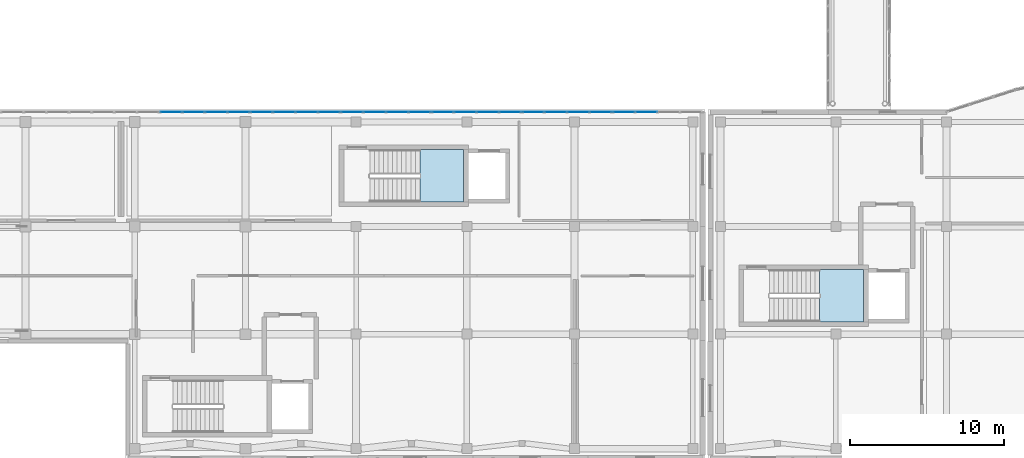
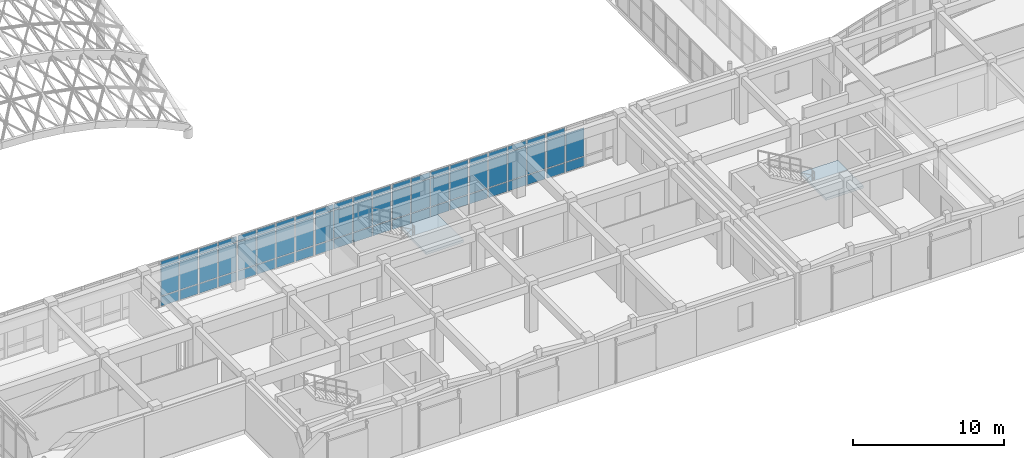
# One storey, part 112 of 146: 65 plates, 2 slabs, 8 elements without a shape of their own.
"""IFC4 building model written with IfcOpenShell, lengths in metres."""

import ifcopenshell
import ifcopenshell.guid

model = None  # the IFC model being written
_history = None  # IfcOwnerHistory: only IFC2X3 demands one
_inside = {}  # id of a spatial element -> (the spatial element, [elements in it])
_under = {}  # id of a project, library or spatial element -> (it, [spatial elements below it])
_declared = {}  # id of a project -> (the project, [libraries it declares])
_typed = {}  # id of a type object -> (the type object, [elements of that type])
_made_of = {}  # id of a material, layer set ... -> (it, [elements and type objects made of it])


def new_model(schema):
    """Start an empty IFC model of exactly this schema.

    Asked for "IFC4X3", IfcOpenShell would pick the latest addendum, in which some entities
    have other attributes; the version numbers below select the first issue.
    IFC2X3 requires an IfcOwnerHistory on every rooted entity: one is made here for all.
    """
    global model, _history
    if schema == "IFC4X3":
        model = ifcopenshell.file(schema_version=(4, 3, 0, 0))
    else:
        model = ifcopenshell.file(schema=schema)
    _inside.clear()
    _under.clear()
    _declared.clear()
    _typed.clear()
    _made_of.clear()
    _history = None
    if model.schema == "IFC2X3":
        org = make("IfcOrganization", Name="unknown")
        user = make(
            "IfcPersonAndOrganization",
            ThePerson=make("IfcPerson", FamilyName="unknown"),
            TheOrganization=org,
        )
        app = make(
            "IfcApplication",
            ApplicationDeveloper=org,
            Version="unknown",
            ApplicationFullName="unknown",
            ApplicationIdentifier="unknown",
        )
        _history = make(
            "IfcOwnerHistory",
            OwningUser=user,
            OwningApplication=app,
            ChangeAction="ADDED",
            CreationDate=0,
        )
    return model


def make(cls, **values):
    """One entity of the class cls with the attributes given. An attribute that is None is left unset."""
    return model.create_entity(
        cls, **{name: value for name, value in values.items() if value is not None}
    )


def rooted(cls, **values):
    """An entity with a GlobalId (a new one), such as an element, a storey or a relation."""
    return make(cls, GlobalId=ifcopenshell.guid.new(), OwnerHistory=_history, **values)


def si_unit(unit_type, name, prefix=None):
    """IfcSIUnit, for example si_unit("LENGTHUNIT", "METRE", prefix="MILLI")."""
    return make("IfcSIUnit", UnitType=unit_type, Prefix=prefix, Name=name)


def assignment(units):
    """IfcUnitAssignment: the units of a project."""
    return None if units is None else make("IfcUnitAssignment", Units=units)


def point(xyz):
    """IfcCartesianPoint."""
    return None if xyz is None else make("IfcCartesianPoint", Coordinates=xyz)


def direction(xyz):
    """IfcDirection."""
    return None if xyz is None else make("IfcDirection", DirectionRatios=xyz)


def frame(location, z_axis=None, x_axis=None):
    """IfcAxis2Placement3D, a coordinate frame: its origin and axes. An axis left out is left unset."""
    return make(
        "IfcAxis2Placement3D",
        Location=point(location),
        Axis=direction(z_axis),
        RefDirection=direction(x_axis),
    )


def frame_2d(location, x_axis=None):
    """IfcAxis2Placement2D, a coordinate frame in the plane: its origin and x axis."""
    return make(
        "IfcAxis2Placement2D", Location=point(location), RefDirection=direction(x_axis)
    )


def origin():
    """The frame at (0, 0, 0) with its axes left unset."""
    return frame((0.0, 0.0, 0.0))


def origin_2d():
    """The frame at (0, 0) in the plane with its x axis left unset."""
    return frame_2d((0.0, 0.0))


def place(relative_to, where):
    """IfcLocalPlacement: puts the frame where relative to a parent placement (None: the world)."""
    return make(
        "IfcLocalPlacement", PlacementRelTo=relative_to, RelativePlacement=where
    )


def context(
    kind, dimensions, precision=None, world=None, true_north=None, identifier=None
):
    """IfcGeometricRepresentationContext, for example the 3D "Model" context."""
    return make(
        "IfcGeometricRepresentationContext",
        ContextIdentifier=identifier,
        ContextType=kind,
        CoordinateSpaceDimension=dimensions,
        Precision=precision,
        WorldCoordinateSystem=world,
        TrueNorth=true_north,
    )


def subcontext(parent, identifier, kind, view, scale=None):
    """IfcGeometricRepresentationSubContext, for example "Body" below "Model"."""
    return make(
        "IfcGeometricRepresentationSubContext",
        ContextIdentifier=identifier,
        ContextType=kind,
        ParentContext=parent,
        TargetScale=scale,
        TargetView=view,
    )


def project(units=None, contexts=None):
    """IfcProject with its units and contexts."""
    return rooted(
        "IfcProject",
        Name="project",
        RepresentationContexts=contexts,
        UnitsInContext=assignment(units),
    )


def spatial(cls, under=None, at=None, **own):
    """A site, building, storey or space (cls), placed at a placement, below another one or the project."""
    s = rooted(cls, ObjectPlacement=at, **own)
    if under is not None:
        _under.setdefault(under.id(), (under, []))[1].append(s)
    return s


def polyline(points):
    """IfcPolyline through the points."""
    return make("IfcPolyline", Points=[point(p) for p in points])


def profile(cls, at=None, kind="AREA", **sizes):
    """A parametric profile (cls). Its sizes go by their IFC names, for example OverallWidth=200.0."""
    return make(cls, ProfileType=kind, Position=at, **sizes)


def rectangle(**sizes):
    """IfcRectangleProfileDef."""
    return profile("IfcRectangleProfileDef", **sizes)


def outline(outer, holes=None, kind="AREA"):
    """IfcArbitraryClosedProfileDef: a profile drawn as a closed curve; with holes, ...WithVoids."""
    if holes is None:
        return make("IfcArbitraryClosedProfileDef", ProfileType=kind, OuterCurve=outer)
    return make(
        "IfcArbitraryProfileDefWithVoids",
        ProfileType=kind,
        OuterCurve=outer,
        InnerCurves=holes,
    )


def extrude(swept, where, along, depth):
    """IfcExtrudedAreaSolid: the profile swept, set in the frame where, extruded along a direction by depth."""
    return make(
        "IfcExtrudedAreaSolid",
        SweptArea=swept,
        Position=where,
        ExtrudedDirection=direction(along),
        Depth=depth,
    )


def shape(context_of_items, identifier, shape_type, items):
    """IfcShapeRepresentation: the items that make up one representation, for example the "Body"."""
    return make(
        "IfcShapeRepresentation",
        ContextOfItems=context_of_items,
        RepresentationIdentifier=identifier,
        RepresentationType=shape_type,
        Items=items,
    )


def material(Name=None, Category=None):
    """IfcMaterial."""
    return make("IfcMaterial", Name=Name, Category=Category)


def layer(
    of_material, thickness, ventilated=None, Name=None, Category=None, Priority=None
):
    """IfcMaterialLayer: one layer of a wall or slab, of a material (None: an air gap)."""
    return make(
        "IfcMaterialLayer",
        Material=of_material,
        LayerThickness=thickness,
        IsVentilated=ventilated,
        Name=Name,
        Category=Category,
        Priority=Priority,
    )


def layer_set(layers, Name=None):
    """IfcMaterialLayerSet."""
    return make("IfcMaterialLayerSet", MaterialLayers=layers, LayerSetName=Name)


def made_of(thing, what):
    """Note that an element or type object is made of a material, layer set ...; save() writes the relation."""
    if what is not None:
        _made_of.setdefault(what.id(), (what, []))[1].append(thing)
    return thing


def type_object(cls, material=None, **own):
    """A type object (cls), such as IfcWallType, which elements share."""
    return made_of(rooted(cls, **own), material)


def element(
    cls,
    number,
    at=None,
    inside=None,
    cuts=None,
    type_object=None,
    material=None,
    context=None,
    identifier="Body",
    shape_type=None,
    held_by="IfcProductDefinitionShape",
    body=None,
    shapes=None,
    **own,
):
    """One element of the class cls, such as IfcWall. Its Tag is "e" and its number.

    at: its placement. inside: the storey or other place that contains it. cuts: it is an
    opening in that element (IfcRelVoidsElement). A single representation is given by context,
    identifier, shape_type and body (its items); several are given by shapes. held_by: the class
    of the entity that holds the representations. save() writes the other relations.
    """
    e = rooted(cls, Tag="e%d" % number, ObjectPlacement=at, **own)
    if body is not None:
        shapes = [shape(context, identifier, shape_type, body)]
    if shapes is not None:
        e.Representation = make(held_by, Representations=shapes)
    if inside is not None:
        _inside.setdefault(inside.id(), (inside, []))[1].append(e)
    if cuts is not None:
        rooted(
            "IfcRelVoidsElement", RelatingBuildingElement=cuts, RelatedOpeningElement=e
        )
    if type_object is not None:
        _typed.setdefault(type_object.id(), (type_object, []))[1].append(e)
    return made_of(e, material)


def aggregate(whole, parts):
    """IfcRelAggregates: a whole, such as a stair, and the parts it consists of."""
    return rooted("IfcRelAggregates", RelatingObject=whole, RelatedObjects=parts)


def save(model, path):
    """Write the relations noted so far, then the file.

    IfcRelAggregates (storeys below a building ...), IfcRelContainedInSpatialStructure (elements
    in a storey), IfcRelDefinesByType, IfcRelAssociatesMaterial and IfcRelDeclares: one each for
    every whole, place, type object, material and project.
    """
    for whole, parts in _under.values():
        aggregate(whole, parts)
    for where, things in _inside.values():
        rooted(
            "IfcRelContainedInSpatialStructure",
            RelatedElements=things,
            RelatingStructure=where,
        )
    for kind, things in _typed.values():
        rooted("IfcRelDefinesByType", RelatedObjects=things, RelatingType=kind)
    for what, things in _made_of.values():
        rooted("IfcRelAssociatesMaterial", RelatedObjects=things, RelatingMaterial=what)
    for by, libraries in _declared.values():
        rooted("IfcRelDeclares", RelatingContext=by, RelatedDefinitions=libraries)
    model.write(path)


model = new_model("IFC4")

# Units and contexts
model_context = context("Model", 3, precision=1e-05, world=origin(), true_north=direction((0.0, 1.0)))
body_context = subcontext(model_context, "Body", "Model", "MODEL_VIEW")
ifc_project = project(units=[si_unit("LENGTHUNIT", "METRE"), si_unit("AREAUNIT", "SQUARE_METRE"), si_unit("VOLUMEUNIT", "CUBIC_METRE"), si_unit("PLANEANGLEUNIT", "RADIAN"), si_unit("MASSUNIT", "GRAM", prefix="KILO")], contexts=[model_context])

# Site, building, storey
site_placement = place(None, origin())
site = spatial("IfcSite", under=ifc_project, at=site_placement, CompositionType="ELEMENT")
building_placement = place(site_placement, origin())
building = spatial("IfcBuilding", under=site, at=building_placement, Name="Valcora Specialist Clinic", CompositionType="ELEMENT")
storey_placement = place(building_placement, frame((0.0, 0.0, 9.52001953125)))
storey = spatial("IfcBuildingStorey", under=building, at=storey_placement, Name="L02", CompositionType="ELEMENT", Elevation=9.52001953125)

# Curtain wall, plates
ifc_material_1 = material(Name="Anodized Bronze Aluminium 6063-T6", Category="aluminium")
ifc_layer_1 = layer(ifc_material_1, 0.175048828125)
ifc_layer_set_1 = layer_set([ifc_layer_1], Name="Anodized Bronze Aluminium 6063-T6")
curtain_wall_type = type_object("IfcCurtainWallType", Name="TY-CW-V5F15", PredefinedType="NOTDEFINED", material=ifc_layer_set_1)
curtain_wall_1_placement = place(storey_placement, origin())
curtain_wall_1 = element("IfcCurtainWall", 1, at=curtain_wall_1_placement, inside=storey, type_object=curtain_wall_type, Name="Curtain wall CW-L02-146", PredefinedType="NOTDEFINED")
ifc_material_2 = material(Name="Low-E Laminated Insulating Glass", Category="glass")
ifc_layer_2 = layer(ifc_material_2, 0.028076171875)
ifc_layer_set_2 = layer_set([ifc_layer_2], Name="Low-E Laminated Insulating Glass")
plate_type_1 = type_object("IfcPlateType", Name="TY-CWP-GLZ28", PredefinedType="CURTAIN_PANEL", material=ifc_layer_set_2)
plate_1_placement = place(storey_placement, frame((18.569091796875, 22.64990234375, 0.882568359375), z_axis=(0.0, 0.0, 1.0), x_axis=(1.0, 0.0, 0.0)))
plate_1 = element("IfcPlate", 2, at=plate_1_placement, type_object=plate_type_1, Name="CW-V5F-15 panel 1.2", PredefinedType="CURTAIN_PANEL", context=body_context, shape_type="SweptSolid", body=[
    extrude(rectangle(XDim=1.374755859375, YDim=0.028076171875, at=origin_2d()), origin(), (0.0, 0.0, 1.0), 2.27001953125),
])
plate_2_placement = place(storey_placement, frame((18.569091796875, 22.64990234375, 3.2177734375), z_axis=(0.0, 0.0, 1.0), x_axis=(1.0, 0.0, 0.0)))
plate_2 = element("IfcPlate", 3, at=plate_2_placement, type_object=plate_type_1, Name="CW-V5F-15 panel 1.3", PredefinedType="CURTAIN_PANEL", context=body_context, shape_type="SweptSolid", body=[
    extrude(rectangle(XDim=1.374755859375, YDim=0.028076171875, at=origin_2d()), origin(), (0.0, 0.0, 1.0), 0.452392578125),
])
plate_3_placement = place(storey_placement, frame((20.025146484375, 22.64990234375, 0.882568359375), z_axis=(0.0, 0.0, 1.0), x_axis=(1.0, 0.0, 0.0)))
plate_3 = element("IfcPlate", 4, at=plate_3_placement, type_object=plate_type_1, Name="CW-V5F-15 panel 2.2", PredefinedType="CURTAIN_PANEL", context=body_context, shape_type="SweptSolid", body=[
    extrude(rectangle(XDim=1.4072265625, YDim=0.028076171875, at=origin_2d()), origin(), (0.0, 0.0, 1.0), 2.27001953125),
])
plate_4_placement = place(storey_placement, frame((20.025146484375, 22.64990234375, 3.2177734375), z_axis=(0.0, 0.0, 1.0), x_axis=(1.0, 0.0, 0.0)))
plate_4 = element("IfcPlate", 5, at=plate_4_placement, type_object=plate_type_1, Name="CW-V5F-15 panel 2.3", PredefinedType="CURTAIN_PANEL", context=body_context, shape_type="SweptSolid", body=[
    extrude(rectangle(XDim=1.4072265625, YDim=0.028076171875, at=origin_2d()), origin(), (0.0, 0.0, 1.0), 0.452392578125),
])
plate_5_placement = place(storey_placement, frame((21.497314453125, 22.64990234375, 0.882568359375), z_axis=(0.0, 0.0, 1.0), x_axis=(1.0, 0.0, 0.0)))
plate_5 = element("IfcPlate", 6, at=plate_5_placement, type_object=plate_type_1, Name="CW-V5F-15 panel 3.2", PredefinedType="CURTAIN_PANEL", context=body_context, shape_type="SweptSolid", body=[
    extrude(rectangle(XDim=1.4072265625, YDim=0.028076171875, at=origin_2d()), origin(), (0.0, 0.0, 1.0), 2.27001953125),
])
plate_6_placement = place(storey_placement, frame((21.497314453125, 22.64990234375, 3.2177734375), z_axis=(0.0, 0.0, 1.0), x_axis=(1.0, 0.0, 0.0)))
plate_6 = element("IfcPlate", 7, at=plate_6_placement, type_object=plate_type_1, Name="CW-V5F-15 panel 3.3", PredefinedType="CURTAIN_PANEL", context=body_context, shape_type="SweptSolid", body=[
    extrude(rectangle(XDim=1.4072265625, YDim=0.028076171875, at=origin_2d()), origin(), (0.0, 0.0, 1.0), 0.452392578125),
])
plate_7_placement = place(storey_placement, frame((22.953125, 22.64990234375, 0.882568359375), z_axis=(0.0, 0.0, 1.0), x_axis=(1.0, 0.0, 0.0)))
plate_7 = element("IfcPlate", 8, at=plate_7_placement, type_object=plate_type_1, Name="CW-V5F-15 panel 4.2", PredefinedType="CURTAIN_PANEL", context=body_context, shape_type="SweptSolid", body=[
    extrude(rectangle(XDim=1.374755859375, YDim=0.028076171875, at=origin_2d()), origin(), (0.0, 0.0, 1.0), 2.27001953125),
])
plate_8_placement = place(storey_placement, frame((22.953125, 22.64990234375, 3.2177734375), z_axis=(0.0, 0.0, 1.0), x_axis=(1.0, 0.0, 0.0)))
plate_8 = element("IfcPlate", 9, at=plate_8_placement, type_object=plate_type_1, Name="CW-V5F-15 panel 4.3", PredefinedType="CURTAIN_PANEL", context=body_context, shape_type="SweptSolid", body=[
    extrude(rectangle(XDim=1.374755859375, YDim=0.028076171875, at=origin_2d()), origin(), (0.0, 0.0, 1.0), 0.452392578125),
])

curtain_wall_2_placement = place(storey_placement, origin())
curtain_wall_2 = element("IfcCurtainWall", 10, at=curtain_wall_2_placement, inside=storey, type_object=curtain_wall_type, Name="Curtain wall CW-L02-148", PredefinedType="NOTDEFINED")
plate_9_placement = place(storey_placement, frame((30.3466796875, 22.64990234375, 0.882568359375), z_axis=(0.0, 0.0, 1.0), x_axis=(1.0, 0.0, 0.0)))
plate_9 = element("IfcPlate", 11, at=plate_9_placement, type_object=plate_type_1, Name="CW-V5F-15 panel 1.2", PredefinedType="CURTAIN_PANEL", context=body_context, shape_type="SweptSolid", body=[
    extrude(rectangle(XDim=1.374755859375, YDim=0.028076171875, at=origin_2d()), origin(), (0.0, 0.0, 1.0), 2.27001953125),
])
plate_10_placement = place(storey_placement, frame((30.3466796875, 22.64990234375, 3.2177734375), z_axis=(0.0, 0.0, 1.0), x_axis=(1.0, 0.0, 0.0)))
plate_10 = element("IfcPlate", 12, at=plate_10_placement, type_object=plate_type_1, Name="CW-V5F-15 panel 1.3", PredefinedType="CURTAIN_PANEL", context=body_context, shape_type="SweptSolid", body=[
    extrude(rectangle(XDim=1.374755859375, YDim=0.028076171875, at=origin_2d()), origin(), (0.0, 0.0, 1.0), 0.452392578125),
])
plate_11_placement = place(storey_placement, frame((31.802734375, 22.64990234375, 0.882568359375), z_axis=(0.0, 0.0, 1.0), x_axis=(1.0, 0.0, 0.0)))
plate_11 = element("IfcPlate", 13, at=plate_11_placement, type_object=plate_type_1, Name="CW-V5F-15 panel 2.2", PredefinedType="CURTAIN_PANEL", context=body_context, shape_type="SweptSolid", body=[
    extrude(rectangle(XDim=1.4072265625, YDim=0.028076171875, at=origin_2d()), origin(), (0.0, 0.0, 1.0), 2.27001953125),
])
plate_12_placement = place(storey_placement, frame((31.802734375, 22.64990234375, 3.2177734375), z_axis=(0.0, 0.0, 1.0), x_axis=(1.0, 0.0, 0.0)))
plate_12 = element("IfcPlate", 14, at=plate_12_placement, type_object=plate_type_1, Name="CW-V5F-15 panel 2.3", PredefinedType="CURTAIN_PANEL", context=body_context, shape_type="SweptSolid", body=[
    extrude(rectangle(XDim=1.4072265625, YDim=0.028076171875, at=origin_2d()), origin(), (0.0, 0.0, 1.0), 0.452392578125),
])
plate_13_placement = place(storey_placement, frame((33.27490234375, 22.64990234375, 0.882568359375), z_axis=(0.0, 0.0, 1.0), x_axis=(1.0, 0.0, 0.0)))
plate_13 = element("IfcPlate", 15, at=plate_13_placement, type_object=plate_type_1, Name="CW-V5F-15 panel 3.2", PredefinedType="CURTAIN_PANEL", context=body_context, shape_type="SweptSolid", body=[
    extrude(rectangle(XDim=1.4072265625, YDim=0.028076171875, at=origin_2d()), origin(), (0.0, 0.0, 1.0), 2.27001953125),
])
plate_14_placement = place(storey_placement, frame((33.27490234375, 22.64990234375, 3.2177734375), z_axis=(0.0, 0.0, 1.0), x_axis=(1.0, 0.0, 0.0)))
plate_14 = element("IfcPlate", 16, at=plate_14_placement, type_object=plate_type_1, Name="CW-V5F-15 panel 3.3", PredefinedType="CURTAIN_PANEL", context=body_context, shape_type="SweptSolid", body=[
    extrude(rectangle(XDim=1.4072265625, YDim=0.028076171875, at=origin_2d()), origin(), (0.0, 0.0, 1.0), 0.452392578125),
])
plate_15_placement = place(storey_placement, frame((34.73095703125, 22.64990234375, 0.882568359375), z_axis=(0.0, 0.0, 1.0), x_axis=(1.0, 0.0, 0.0)))
plate_15 = element("IfcPlate", 17, at=plate_15_placement, type_object=plate_type_1, Name="CW-V5F-15 panel 4.2", PredefinedType="CURTAIN_PANEL", context=body_context, shape_type="SweptSolid", body=[
    extrude(rectangle(XDim=1.374755859375, YDim=0.028076171875, at=origin_2d()), origin(), (0.0, 0.0, 1.0), 2.27001953125),
])
plate_16_placement = place(storey_placement, frame((34.73095703125, 22.64990234375, 3.2177734375), z_axis=(0.0, 0.0, 1.0), x_axis=(1.0, 0.0, 0.0)))
plate_16 = element("IfcPlate", 18, at=plate_16_placement, type_object=plate_type_1, Name="CW-V5F-15 panel 4.3", PredefinedType="CURTAIN_PANEL", context=body_context, shape_type="SweptSolid", body=[
    extrude(rectangle(XDim=1.374755859375, YDim=0.028076171875, at=origin_2d()), origin(), (0.0, 0.0, 1.0), 0.452392578125),
])

curtain_wall_3_placement = place(storey_placement, origin())
curtain_wall_3 = element("IfcCurtainWall", 19, at=curtain_wall_3_placement, inside=storey, type_object=curtain_wall_type, Name="Curtain wall CW-L02-150", PredefinedType="NOTDEFINED")
plate_17_placement = place(storey_placement, frame((42.12451171875, 22.64990234375, 0.882568359375), z_axis=(0.0, 0.0, 1.0), x_axis=(1.0, 0.0, 0.0)))
plate_17 = element("IfcPlate", 20, at=plate_17_placement, type_object=plate_type_1, Name="CW-V5F-15 panel 1.2", PredefinedType="CURTAIN_PANEL", context=body_context, shape_type="SweptSolid", body=[
    extrude(rectangle(XDim=1.374755859375, YDim=0.028076171875, at=origin_2d()), origin(), (0.0, 0.0, 1.0), 2.27001953125),
])
plate_18_placement = place(storey_placement, frame((42.12451171875, 22.64990234375, 3.2177734375), z_axis=(0.0, 0.0, 1.0), x_axis=(1.0, 0.0, 0.0)))
plate_18 = element("IfcPlate", 21, at=plate_18_placement, type_object=plate_type_1, Name="CW-V5F-15 panel 1.3", PredefinedType="CURTAIN_PANEL", context=body_context, shape_type="SweptSolid", body=[
    extrude(rectangle(XDim=1.374755859375, YDim=0.028076171875, at=origin_2d()), origin(), (0.0, 0.0, 1.0), 0.452392578125),
])
plate_19_placement = place(storey_placement, frame((43.58056640625, 22.64990234375, 0.882568359375), z_axis=(0.0, 0.0, 1.0), x_axis=(1.0, 0.0, 0.0)))
plate_19 = element("IfcPlate", 22, at=plate_19_placement, type_object=plate_type_1, Name="CW-V5F-15 panel 2.2", PredefinedType="CURTAIN_PANEL", context=body_context, shape_type="SweptSolid", body=[
    extrude(rectangle(XDim=1.4072265625, YDim=0.028076171875, at=origin_2d()), origin(), (0.0, 0.0, 1.0), 2.27001953125),
])
plate_20_placement = place(storey_placement, frame((43.58056640625, 22.64990234375, 3.2177734375), z_axis=(0.0, 0.0, 1.0), x_axis=(1.0, 0.0, 0.0)))
plate_20 = element("IfcPlate", 23, at=plate_20_placement, type_object=plate_type_1, Name="CW-V5F-15 panel 2.3", PredefinedType="CURTAIN_PANEL", context=body_context, shape_type="SweptSolid", body=[
    extrude(rectangle(XDim=1.4072265625, YDim=0.028076171875, at=origin_2d()), origin(), (0.0, 0.0, 1.0), 0.452392578125),
])
plate_21_placement = place(storey_placement, frame((45.052734375, 22.64990234375, 0.882568359375), z_axis=(0.0, 0.0, 1.0), x_axis=(1.0, 0.0, 0.0)))
plate_21 = element("IfcPlate", 24, at=plate_21_placement, type_object=plate_type_1, Name="CW-V5F-15 panel 3.2", PredefinedType="CURTAIN_PANEL", context=body_context, shape_type="SweptSolid", body=[
    extrude(rectangle(XDim=1.4072265625, YDim=0.028076171875, at=origin_2d()), origin(), (0.0, 0.0, 1.0), 2.27001953125),
])
plate_22_placement = place(storey_placement, frame((45.052734375, 22.64990234375, 3.2177734375), z_axis=(0.0, 0.0, 1.0), x_axis=(1.0, 0.0, 0.0)))
plate_22 = element("IfcPlate", 25, at=plate_22_placement, type_object=plate_type_1, Name="CW-V5F-15 panel 3.3", PredefinedType="CURTAIN_PANEL", context=body_context, shape_type="SweptSolid", body=[
    extrude(rectangle(XDim=1.4072265625, YDim=0.028076171875, at=origin_2d()), origin(), (0.0, 0.0, 1.0), 0.452392578125),
])
plate_23_placement = place(storey_placement, frame((46.5087890625, 22.64990234375, 0.882568359375), z_axis=(0.0, 0.0, 1.0), x_axis=(1.0, 0.0, 0.0)))
plate_23 = element("IfcPlate", 26, at=plate_23_placement, type_object=plate_type_1, Name="CW-V5F-15 panel 4.2", PredefinedType="CURTAIN_PANEL", context=body_context, shape_type="SweptSolid", body=[
    extrude(rectangle(XDim=1.374755859375, YDim=0.028076171875, at=origin_2d()), origin(), (0.0, 0.0, 1.0), 2.27001953125),
])
plate_24_placement = place(storey_placement, frame((46.5087890625, 22.64990234375, 3.2177734375), z_axis=(0.0, 0.0, 1.0), x_axis=(1.0, 0.0, 0.0)))
plate_24 = element("IfcPlate", 27, at=plate_24_placement, type_object=plate_type_1, Name="CW-V5F-15 panel 4.3", PredefinedType="CURTAIN_PANEL", context=body_context, shape_type="SweptSolid", body=[
    extrude(rectangle(XDim=1.374755859375, YDim=0.028076171875, at=origin_2d()), origin(), (0.0, 0.0, 1.0), 0.452392578125),
])

curtain_wall_4_placement = place(storey_placement, origin())
curtain_wall_4 = element("IfcCurtainWall", 28, at=curtain_wall_4_placement, inside=storey, type_object=curtain_wall_type, Name="Curtain wall CW-L02-147", PredefinedType="NOTDEFINED")
ifc_layer_3 = layer(ifc_material_2, 0.033935546875)
ifc_layer_set_3 = layer_set([ifc_layer_3], Name="Low-E Laminated Insulating Glass")
plate_type_2 = type_object("IfcPlateType", Name="TY-CWP-GLZ34", PredefinedType="CURTAIN_PANEL", material=ifc_layer_set_3)
plate_25_placement = place(storey_placement, frame((24.4580078125, 22.64990234375, 0.882568359375), z_axis=(0.0, 0.0, 1.0), x_axis=(1.0, 0.0, 0.0)))
plate_25 = element("IfcPlate", 29, at=plate_25_placement, type_object=plate_type_2, Name="CW-V5F-15 panel 1.2", PredefinedType="CURTAIN_PANEL", context=body_context, shape_type="SweptSolid", body=[
    extrude(rectangle(XDim=1.374755859375, YDim=0.033935546875, at=origin_2d()), origin(), (0.0, 0.0, 1.0), 2.27001953125),
])
plate_26_placement = place(storey_placement, frame((24.4580078125, 22.64990234375, 3.2177734375), z_axis=(0.0, 0.0, 1.0), x_axis=(1.0, 0.0, 0.0)))
plate_26 = element("IfcPlate", 30, at=plate_26_placement, type_object=plate_type_2, Name="CW-V5F-15 panel 1.3", PredefinedType="CURTAIN_PANEL", context=body_context, shape_type="SweptSolid", body=[
    extrude(rectangle(XDim=1.374755859375, YDim=0.033935546875, at=origin_2d()), origin(), (0.0, 0.0, 1.0), 0.452392578125),
])
plate_27_placement = place(storey_placement, frame((25.913818359375, 22.64990234375, 0.882568359375), z_axis=(0.0, 0.0, 1.0), x_axis=(1.0, 0.0, 0.0)))
plate_27 = element("IfcPlate", 31, at=plate_27_placement, type_object=plate_type_2, Name="CW-V5F-15 panel 2.2", PredefinedType="CURTAIN_PANEL", context=body_context, shape_type="SweptSolid", body=[
    extrude(rectangle(XDim=1.4072265625, YDim=0.033935546875, at=origin_2d()), origin(), (0.0, 0.0, 1.0), 2.27001953125),
])
plate_28_placement = place(storey_placement, frame((25.913818359375, 22.64990234375, 3.2177734375), z_axis=(0.0, 0.0, 1.0), x_axis=(1.0, 0.0, 0.0)))
plate_28 = element("IfcPlate", 32, at=plate_28_placement, type_object=plate_type_2, Name="CW-V5F-15 panel 2.3", PredefinedType="CURTAIN_PANEL", context=body_context, shape_type="SweptSolid", body=[
    extrude(rectangle(XDim=1.4072265625, YDim=0.033935546875, at=origin_2d()), origin(), (0.0, 0.0, 1.0), 0.452392578125),
])
plate_29_placement = place(storey_placement, frame((27.385986328125, 22.64990234375, 0.882568359375), z_axis=(0.0, 0.0, 1.0), x_axis=(1.0, 0.0, 0.0)))
plate_29 = element("IfcPlate", 33, at=plate_29_placement, type_object=plate_type_2, Name="CW-V5F-15 panel 3.2", PredefinedType="CURTAIN_PANEL", context=body_context, shape_type="SweptSolid", body=[
    extrude(rectangle(XDim=1.4072265625, YDim=0.033935546875, at=origin_2d()), origin(), (0.0, 0.0, 1.0), 2.27001953125),
])
plate_30_placement = place(storey_placement, frame((27.385986328125, 22.64990234375, 3.2177734375), z_axis=(0.0, 0.0, 1.0), x_axis=(1.0, 0.0, 0.0)))
plate_30 = element("IfcPlate", 34, at=plate_30_placement, type_object=plate_type_2, Name="CW-V5F-15 panel 3.3", PredefinedType="CURTAIN_PANEL", context=body_context, shape_type="SweptSolid", body=[
    extrude(rectangle(XDim=1.4072265625, YDim=0.033935546875, at=origin_2d()), origin(), (0.0, 0.0, 1.0), 0.452392578125),
])
plate_31_placement = place(storey_placement, frame((28.842041015625, 22.64990234375, 0.882568359375), z_axis=(0.0, 0.0, 1.0), x_axis=(1.0, 0.0, 0.0)))
plate_31 = element("IfcPlate", 35, at=plate_31_placement, type_object=plate_type_2, Name="CW-V5F-15 panel 4.2", PredefinedType="CURTAIN_PANEL", context=body_context, shape_type="SweptSolid", body=[
    extrude(rectangle(XDim=1.374755859375, YDim=0.033935546875, at=origin_2d()), origin(), (0.0, 0.0, 1.0), 2.27001953125),
])
plate_32_placement = place(storey_placement, frame((28.842041015625, 22.64990234375, 3.2177734375), z_axis=(0.0, 0.0, 1.0), x_axis=(1.0, 0.0, 0.0)))
plate_32 = element("IfcPlate", 36, at=plate_32_placement, type_object=plate_type_2, Name="CW-V5F-15 panel 4.3", PredefinedType="CURTAIN_PANEL", context=body_context, shape_type="SweptSolid", body=[
    extrude(rectangle(XDim=1.374755859375, YDim=0.033935546875, at=origin_2d()), origin(), (0.0, 0.0, 1.0), 0.452392578125),
])

curtain_wall_5_placement = place(storey_placement, origin())
curtain_wall_5 = element("IfcCurtainWall", 37, at=curtain_wall_5_placement, inside=storey, type_object=curtain_wall_type, Name="Curtain wall CW-L02-149", PredefinedType="NOTDEFINED")
plate_33_placement = place(storey_placement, frame((36.235595703125, 22.64990234375, 0.882568359375), z_axis=(0.0, 0.0, 1.0), x_axis=(1.0, 0.0, 0.0)))
plate_33 = element("IfcPlate", 38, at=plate_33_placement, type_object=plate_type_2, Name="CW-V5F-15 panel 1.2", PredefinedType="CURTAIN_PANEL", context=body_context, shape_type="SweptSolid", body=[
    extrude(rectangle(XDim=1.374755859375, YDim=0.033935546875, at=origin_2d()), origin(), (0.0, 0.0, 1.0), 2.27001953125),
])
plate_34_placement = place(storey_placement, frame((36.235595703125, 22.64990234375, 3.2177734375), z_axis=(0.0, 0.0, 1.0), x_axis=(1.0, 0.0, 0.0)))
plate_34 = element("IfcPlate", 39, at=plate_34_placement, type_object=plate_type_2, Name="CW-V5F-15 panel 1.3", PredefinedType="CURTAIN_PANEL", context=body_context, shape_type="SweptSolid", body=[
    extrude(rectangle(XDim=1.374755859375, YDim=0.033935546875, at=origin_2d()), origin(), (0.0, 0.0, 1.0), 0.452392578125),
])
plate_35_placement = place(storey_placement, frame((37.691650390625, 22.64990234375, 0.882568359375), z_axis=(0.0, 0.0, 1.0), x_axis=(1.0, 0.0, 0.0)))
plate_35 = element("IfcPlate", 40, at=plate_35_placement, type_object=plate_type_2, Name="CW-V5F-15 panel 2.2", PredefinedType="CURTAIN_PANEL", context=body_context, shape_type="SweptSolid", body=[
    extrude(rectangle(XDim=1.4072265625, YDim=0.033935546875, at=origin_2d()), origin(), (0.0, 0.0, 1.0), 2.27001953125),
])
plate_36_placement = place(storey_placement, frame((37.691650390625, 22.64990234375, 3.2177734375), z_axis=(0.0, 0.0, 1.0), x_axis=(1.0, 0.0, 0.0)))
plate_36 = element("IfcPlate", 41, at=plate_36_placement, type_object=plate_type_2, Name="CW-V5F-15 panel 2.3", PredefinedType="CURTAIN_PANEL", context=body_context, shape_type="SweptSolid", body=[
    extrude(rectangle(XDim=1.4072265625, YDim=0.033935546875, at=origin_2d()), origin(), (0.0, 0.0, 1.0), 0.452392578125),
])
plate_37_placement = place(storey_placement, frame((39.163818359375, 22.64990234375, 0.882568359375), z_axis=(0.0, 0.0, 1.0), x_axis=(1.0, 0.0, 0.0)))
plate_37 = element("IfcPlate", 42, at=plate_37_placement, type_object=plate_type_2, Name="CW-V5F-15 panel 3.2", PredefinedType="CURTAIN_PANEL", context=body_context, shape_type="SweptSolid", body=[
    extrude(rectangle(XDim=1.4072265625, YDim=0.033935546875, at=origin_2d()), origin(), (0.0, 0.0, 1.0), 2.27001953125),
])
plate_38_placement = place(storey_placement, frame((39.163818359375, 22.64990234375, 3.2177734375), z_axis=(0.0, 0.0, 1.0), x_axis=(1.0, 0.0, 0.0)))
plate_38 = element("IfcPlate", 43, at=plate_38_placement, type_object=plate_type_2, Name="CW-V5F-15 panel 3.3", PredefinedType="CURTAIN_PANEL", context=body_context, shape_type="SweptSolid", body=[
    extrude(rectangle(XDim=1.4072265625, YDim=0.033935546875, at=origin_2d()), origin(), (0.0, 0.0, 1.0), 0.452392578125),
])
plate_39_placement = place(storey_placement, frame((40.619873046875, 22.64990234375, 0.882568359375), z_axis=(0.0, 0.0, 1.0), x_axis=(1.0, 0.0, 0.0)))
plate_39 = element("IfcPlate", 44, at=plate_39_placement, type_object=plate_type_2, Name="CW-V5F-15 panel 4.2", PredefinedType="CURTAIN_PANEL", context=body_context, shape_type="SweptSolid", body=[
    extrude(rectangle(XDim=1.374755859375, YDim=0.033935546875, at=origin_2d()), origin(), (0.0, 0.0, 1.0), 2.27001953125),
])
plate_40_placement = place(storey_placement, frame((40.619873046875, 22.64990234375, 3.2177734375), z_axis=(0.0, 0.0, 1.0), x_axis=(1.0, 0.0, 0.0)))
plate_40 = element("IfcPlate", 45, at=plate_40_placement, type_object=plate_type_2, Name="CW-V5F-15 panel 4.3", PredefinedType="CURTAIN_PANEL", context=body_context, shape_type="SweptSolid", body=[
    extrude(rectangle(XDim=1.374755859375, YDim=0.033935546875, at=origin_2d()), origin(), (0.0, 0.0, 1.0), 0.452392578125),
])

curtain_wall_6_placement = place(storey_placement, origin())
curtain_wall_6 = element("IfcCurtainWall", 46, at=curtain_wall_6_placement, inside=storey, type_object=curtain_wall_type, Name="Curtain wall CW-L02-151", PredefinedType="NOTDEFINED")
plate_41_placement = place(storey_placement, frame((48.013427734375, 22.64990234375, 0.882568359375), z_axis=(0.0, 0.0, 1.0), x_axis=(1.0, 0.0, 0.0)))
plate_41 = element("IfcPlate", 47, at=plate_41_placement, type_object=plate_type_2, Name="CW-V5F-15 panel 1.2", PredefinedType="CURTAIN_PANEL", context=body_context, shape_type="SweptSolid", body=[
    extrude(rectangle(XDim=1.374755859375, YDim=0.033935546875, at=origin_2d()), origin(), (0.0, 0.0, 1.0), 2.27001953125),
])
plate_42_placement = place(storey_placement, frame((48.013427734375, 22.64990234375, 3.2177734375), z_axis=(0.0, 0.0, 1.0), x_axis=(1.0, 0.0, 0.0)))
plate_42 = element("IfcPlate", 48, at=plate_42_placement, type_object=plate_type_2, Name="CW-V5F-15 panel 1.3", PredefinedType="CURTAIN_PANEL", context=body_context, shape_type="SweptSolid", body=[
    extrude(rectangle(XDim=1.374755859375, YDim=0.033935546875, at=origin_2d()), origin(), (0.0, 0.0, 1.0), 0.452392578125),
])
plate_43_placement = place(storey_placement, frame((49.469482421875, 22.64990234375, 0.882568359375), z_axis=(0.0, 0.0, 1.0), x_axis=(1.0, 0.0, 0.0)))
plate_43 = element("IfcPlate", 49, at=plate_43_placement, type_object=plate_type_2, Name="CW-V5F-15 panel 2.2", PredefinedType="CURTAIN_PANEL", context=body_context, shape_type="SweptSolid", body=[
    extrude(rectangle(XDim=1.4072265625, YDim=0.033935546875, at=origin_2d()), origin(), (0.0, 0.0, 1.0), 2.27001953125),
])

# Plate
ifc_material_3 = material(Name="Insulated Spandrel Panel")
ifc_layer_4 = layer(ifc_material_3, 0.044921875)
ifc_layer_set_4 = layer_set([ifc_layer_4], Name="Insulated Spandrel Panel")
plate_type_3 = type_object("IfcPlateType", Name="TY-CWP-SPN45", PredefinedType="SHEET", material=ifc_layer_set_4)
plate_44_placement = place(storey_placement, frame((18.569091796875, 22.64990234375, 0.06494140625), z_axis=(0.0, 0.0, 1.0), x_axis=(1.0, 0.0, 0.0)))
plate_44 = element("IfcPlate", 50, at=plate_44_placement, type_object=plate_type_3, Name="CW-V5F-15 panel 1.1", PredefinedType="SHEET", context=body_context, shape_type="SweptSolid", body=[
    extrude(rectangle(XDim=1.374755859375, YDim=0.044921875, at=origin_2d()), origin(), (0.0, 0.0, 1.0), 0.75244140625),
])

plate_45_placement = place(storey_placement, frame((20.025146484375, 22.64990234375, 0.06494140625), z_axis=(0.0, 0.0, 1.0), x_axis=(1.0, 0.0, 0.0)))
plate_45 = element("IfcPlate", 51, at=plate_45_placement, type_object=plate_type_3, Name="CW-V5F-15 panel 2.1", PredefinedType="SHEET", context=body_context, shape_type="SweptSolid", body=[
    extrude(rectangle(XDim=1.4072265625, YDim=0.044921875, at=origin_2d()), origin(), (0.0, 0.0, 1.0), 0.75244140625),
])

plate_46_placement = place(storey_placement, frame((21.497314453125, 22.64990234375, 0.06494140625), z_axis=(0.0, 0.0, 1.0), x_axis=(1.0, 0.0, 0.0)))
plate_46 = element("IfcPlate", 52, at=plate_46_placement, type_object=plate_type_3, Name="CW-V5F-15 panel 3.1", PredefinedType="SHEET", context=body_context, shape_type="SweptSolid", body=[
    extrude(rectangle(XDim=1.4072265625, YDim=0.044921875, at=origin_2d()), origin(), (0.0, 0.0, 1.0), 0.75244140625),
])

plate_47_placement = place(storey_placement, frame((22.953125, 22.64990234375, 0.06494140625), z_axis=(0.0, 0.0, 1.0), x_axis=(1.0, 0.0, 0.0)))
plate_47 = element("IfcPlate", 53, at=plate_47_placement, type_object=plate_type_3, Name="CW-V5F-15 panel 4.1", PredefinedType="SHEET", context=body_context, shape_type="SweptSolid", body=[
    extrude(rectangle(XDim=1.374755859375, YDim=0.044921875, at=origin_2d()), origin(), (0.0, 0.0, 1.0), 0.75244140625),
])

aggregate(curtain_wall_1, [plate_44, plate_1, plate_2, plate_45, plate_3, plate_4, plate_46, plate_5, plate_6, plate_47, plate_7, plate_8])

plate_48_placement = place(storey_placement, frame((24.4580078125, 22.64990234375, 0.06494140625), z_axis=(0.0, 0.0, 1.0), x_axis=(1.0, 0.0, 0.0)))
plate_48 = element("IfcPlate", 54, at=plate_48_placement, type_object=plate_type_3, Name="CW-V5F-15 panel 1.1", PredefinedType="SHEET", context=body_context, shape_type="SweptSolid", body=[
    extrude(rectangle(XDim=1.374755859375, YDim=0.044921875, at=origin_2d()), origin(), (0.0, 0.0, 1.0), 0.75244140625),
])

plate_49_placement = place(storey_placement, frame((25.913818359375, 22.64990234375, 0.06494140625), z_axis=(0.0, 0.0, 1.0), x_axis=(1.0, 0.0, 0.0)))
plate_49 = element("IfcPlate", 55, at=plate_49_placement, type_object=plate_type_3, Name="CW-V5F-15 panel 2.1", PredefinedType="SHEET", context=body_context, shape_type="SweptSolid", body=[
    extrude(rectangle(XDim=1.4072265625, YDim=0.044921875, at=origin_2d()), origin(), (0.0, 0.0, 1.0), 0.75244140625),
])

plate_50_placement = place(storey_placement, frame((27.385986328125, 22.64990234375, 0.06494140625), z_axis=(0.0, 0.0, 1.0), x_axis=(1.0, 0.0, 0.0)))
plate_50 = element("IfcPlate", 56, at=plate_50_placement, type_object=plate_type_3, Name="CW-V5F-15 panel 3.1", PredefinedType="SHEET", context=body_context, shape_type="SweptSolid", body=[
    extrude(rectangle(XDim=1.4072265625, YDim=0.044921875, at=origin_2d()), origin(), (0.0, 0.0, 1.0), 0.75244140625),
])

plate_51_placement = place(storey_placement, frame((28.842041015625, 22.64990234375, 0.06494140625), z_axis=(0.0, 0.0, 1.0), x_axis=(1.0, 0.0, 0.0)))
plate_51 = element("IfcPlate", 57, at=plate_51_placement, type_object=plate_type_3, Name="CW-V5F-15 panel 4.1", PredefinedType="SHEET", context=body_context, shape_type="SweptSolid", body=[
    extrude(rectangle(XDim=1.374755859375, YDim=0.044921875, at=origin_2d()), origin(), (0.0, 0.0, 1.0), 0.75244140625),
])

aggregate(curtain_wall_4, [plate_48, plate_25, plate_26, plate_49, plate_27, plate_28, plate_50, plate_29, plate_30, plate_51, plate_31, plate_32])

plate_52_placement = place(storey_placement, frame((30.3466796875, 22.64990234375, 0.06494140625), z_axis=(0.0, 0.0, 1.0), x_axis=(1.0, 0.0, 0.0)))
plate_52 = element("IfcPlate", 58, at=plate_52_placement, type_object=plate_type_3, Name="CW-V5F-15 panel 1.1", PredefinedType="SHEET", context=body_context, shape_type="SweptSolid", body=[
    extrude(rectangle(XDim=1.374755859375, YDim=0.044921875, at=origin_2d()), origin(), (0.0, 0.0, 1.0), 0.75244140625),
])

plate_53_placement = place(storey_placement, frame((31.802734375, 22.64990234375, 0.06494140625), z_axis=(0.0, 0.0, 1.0), x_axis=(1.0, 0.0, 0.0)))
plate_53 = element("IfcPlate", 59, at=plate_53_placement, type_object=plate_type_3, Name="CW-V5F-15 panel 2.1", PredefinedType="SHEET", context=body_context, shape_type="SweptSolid", body=[
    extrude(rectangle(XDim=1.4072265625, YDim=0.044921875, at=origin_2d()), origin(), (0.0, 0.0, 1.0), 0.75244140625),
])

plate_54_placement = place(storey_placement, frame((33.27490234375, 22.64990234375, 0.06494140625), z_axis=(0.0, 0.0, 1.0), x_axis=(1.0, 0.0, 0.0)))
plate_54 = element("IfcPlate", 60, at=plate_54_placement, type_object=plate_type_3, Name="CW-V5F-15 panel 3.1", PredefinedType="SHEET", context=body_context, shape_type="SweptSolid", body=[
    extrude(rectangle(XDim=1.4072265625, YDim=0.044921875, at=origin_2d()), origin(), (0.0, 0.0, 1.0), 0.75244140625),
])

plate_55_placement = place(storey_placement, frame((34.73095703125, 22.64990234375, 0.06494140625), z_axis=(0.0, 0.0, 1.0), x_axis=(1.0, 0.0, 0.0)))
plate_55 = element("IfcPlate", 61, at=plate_55_placement, type_object=plate_type_3, Name="CW-V5F-15 panel 4.1", PredefinedType="SHEET", context=body_context, shape_type="SweptSolid", body=[
    extrude(rectangle(XDim=1.374755859375, YDim=0.044921875, at=origin_2d()), origin(), (0.0, 0.0, 1.0), 0.75244140625),
])

aggregate(curtain_wall_2, [plate_52, plate_9, plate_10, plate_53, plate_11, plate_12, plate_54, plate_13, plate_14, plate_55, plate_15, plate_16])

plate_56_placement = place(storey_placement, frame((36.235595703125, 22.64990234375, 0.06494140625), z_axis=(0.0, 0.0, 1.0), x_axis=(1.0, 0.0, 0.0)))
plate_56 = element("IfcPlate", 62, at=plate_56_placement, type_object=plate_type_3, Name="CW-V5F-15 panel 1.1", PredefinedType="SHEET", context=body_context, shape_type="SweptSolid", body=[
    extrude(rectangle(XDim=1.374755859375, YDim=0.044921875, at=origin_2d()), origin(), (0.0, 0.0, 1.0), 0.75244140625),
])

plate_57_placement = place(storey_placement, frame((37.691650390625, 22.64990234375, 0.06494140625), z_axis=(0.0, 0.0, 1.0), x_axis=(1.0, 0.0, 0.0)))
plate_57 = element("IfcPlate", 63, at=plate_57_placement, type_object=plate_type_3, Name="CW-V5F-15 panel 2.1", PredefinedType="SHEET", context=body_context, shape_type="SweptSolid", body=[
    extrude(rectangle(XDim=1.4072265625, YDim=0.044921875, at=origin_2d()), origin(), (0.0, 0.0, 1.0), 0.75244140625),
])

plate_58_placement = place(storey_placement, frame((39.163818359375, 22.64990234375, 0.06494140625), z_axis=(0.0, 0.0, 1.0), x_axis=(1.0, 0.0, 0.0)))
plate_58 = element("IfcPlate", 64, at=plate_58_placement, type_object=plate_type_3, Name="CW-V5F-15 panel 3.1", PredefinedType="SHEET", context=body_context, shape_type="SweptSolid", body=[
    extrude(rectangle(XDim=1.4072265625, YDim=0.044921875, at=origin_2d()), origin(), (0.0, 0.0, 1.0), 0.75244140625),
])

plate_59_placement = place(storey_placement, frame((40.619873046875, 22.64990234375, 0.06494140625), z_axis=(0.0, 0.0, 1.0), x_axis=(1.0, 0.0, 0.0)))
plate_59 = element("IfcPlate", 65, at=plate_59_placement, type_object=plate_type_3, Name="CW-V5F-15 panel 4.1", PredefinedType="SHEET", context=body_context, shape_type="SweptSolid", body=[
    extrude(rectangle(XDim=1.374755859375, YDim=0.044921875, at=origin_2d()), origin(), (0.0, 0.0, 1.0), 0.75244140625),
])

aggregate(curtain_wall_5, [plate_56, plate_33, plate_34, plate_57, plate_35, plate_36, plate_58, plate_37, plate_38, plate_59, plate_39, plate_40])

plate_60_placement = place(storey_placement, frame((42.12451171875, 22.64990234375, 0.06494140625), z_axis=(0.0, 0.0, 1.0), x_axis=(1.0, 0.0, 0.0)))
plate_60 = element("IfcPlate", 66, at=plate_60_placement, type_object=plate_type_3, Name="CW-V5F-15 panel 1.1", PredefinedType="SHEET", context=body_context, shape_type="SweptSolid", body=[
    extrude(rectangle(XDim=1.374755859375, YDim=0.044921875, at=origin_2d()), origin(), (0.0, 0.0, 1.0), 0.75244140625),
])

plate_61_placement = place(storey_placement, frame((43.58056640625, 22.64990234375, 0.06494140625), z_axis=(0.0, 0.0, 1.0), x_axis=(1.0, 0.0, 0.0)))
plate_61 = element("IfcPlate", 67, at=plate_61_placement, type_object=plate_type_3, Name="CW-V5F-15 panel 2.1", PredefinedType="SHEET", context=body_context, shape_type="SweptSolid", body=[
    extrude(rectangle(XDim=1.4072265625, YDim=0.044921875, at=origin_2d()), origin(), (0.0, 0.0, 1.0), 0.75244140625),
])

plate_62_placement = place(storey_placement, frame((45.052734375, 22.64990234375, 0.06494140625), z_axis=(0.0, 0.0, 1.0), x_axis=(1.0, 0.0, 0.0)))
plate_62 = element("IfcPlate", 68, at=plate_62_placement, type_object=plate_type_3, Name="CW-V5F-15 panel 3.1", PredefinedType="SHEET", context=body_context, shape_type="SweptSolid", body=[
    extrude(rectangle(XDim=1.4072265625, YDim=0.044921875, at=origin_2d()), origin(), (0.0, 0.0, 1.0), 0.75244140625),
])

plate_63_placement = place(storey_placement, frame((46.5087890625, 22.64990234375, 0.06494140625), z_axis=(0.0, 0.0, 1.0), x_axis=(1.0, 0.0, 0.0)))
plate_63 = element("IfcPlate", 69, at=plate_63_placement, type_object=plate_type_3, Name="CW-V5F-15 panel 4.1", PredefinedType="SHEET", context=body_context, shape_type="SweptSolid", body=[
    extrude(rectangle(XDim=1.374755859375, YDim=0.044921875, at=origin_2d()), origin(), (0.0, 0.0, 1.0), 0.75244140625),
])

aggregate(curtain_wall_3, [plate_60, plate_17, plate_18, plate_61, plate_19, plate_20, plate_62, plate_21, plate_22, plate_63, plate_23, plate_24])

plate_64_placement = place(storey_placement, frame((48.013427734375, 22.64990234375, 0.06494140625), z_axis=(0.0, 0.0, 1.0), x_axis=(1.0, 0.0, 0.0)))
plate_64 = element("IfcPlate", 70, at=plate_64_placement, type_object=plate_type_3, Name="CW-V5F-15 panel 1.1", PredefinedType="SHEET", context=body_context, shape_type="SweptSolid", body=[
    extrude(rectangle(XDim=1.374755859375, YDim=0.044921875, at=origin_2d()), origin(), (0.0, 0.0, 1.0), 0.75244140625),
])

plate_65_placement = place(storey_placement, frame((49.469482421875, 22.64990234375, 0.06494140625), z_axis=(0.0, 0.0, 1.0), x_axis=(1.0, 0.0, 0.0)))
plate_65 = element("IfcPlate", 71, at=plate_65_placement, type_object=plate_type_3, Name="CW-V5F-15 panel 2.1", PredefinedType="SHEET", context=body_context, shape_type="SweptSolid", body=[
    extrude(rectangle(XDim=1.4072265625, YDim=0.044921875, at=origin_2d()), origin(), (0.0, 0.0, 1.0), 0.75244140625),
])

aggregate(curtain_wall_6, [plate_64, plate_41, plate_42, plate_65, plate_43])

# Stair, slab
ifc_material_4 = material(Name="Concrete C40/50", Category="concrete")
stair_type = type_object("IfcStairType", Name="TY-ST-DG408", PredefinedType="HALF_TURN_STAIR", material=ifc_material_4)
stair_1_placement = place(storey_placement, origin())
stair_1 = element("IfcStair", 72, at=stair_1_placement, inside=storey, type_object=stair_type, Name="L02 Core C-V5B stair ST-V5B", PredefinedType="HALF_TURN_STAIR")
ifc_layer_5 = layer(ifc_material_4, 0.199951171875)
ifc_layer_set_5 = layer_set([ifc_layer_5], Name="Concrete C40/50")
slab_type = type_object("IfcSlabType", Name="TY-SL-LND200", PredefinedType="LANDING", material=ifc_layer_set_5)
slab_1_placement = place(storey_placement, frame((0.0, 0.0, 1.840087890625)))
slab_1 = element("IfcSlab", 73, at=slab_1_placement, type_object=slab_type, Name="ST-V5B landing 1", PredefinedType="LANDING", context=body_context, shape_type="SweptSolid", body=[
    extrude(outline(polyline([(34.7451171875, 16.800048828125), (37.60009765625, 16.800048828125), (37.60009765625, 20.199951171875), (34.7451171875, 20.199951171875), (34.7451171875, 16.800048828125)])), origin(), (0.0, 0.0, 1.0), 0.199951171875),
])
aggregate(stair_1, [slab_1])

stair_2_placement = place(storey_placement, origin())
stair_2 = element("IfcStair", 74, at=stair_2_placement, inside=storey, type_object=stair_type, Name="L02 Core C-V6A stair ST-V6A", PredefinedType="HALF_TURN_STAIR")
slab_2_placement = place(storey_placement, frame((0.0, 0.0, 1.840087890625)))
slab_2 = element("IfcSlab", 75, at=slab_2_placement, type_object=slab_type, Name="ST-V6A landing 1", PredefinedType="LANDING", context=body_context, shape_type="SweptSolid", body=[
    extrude(outline(polyline([(60.7451171875, 9.0), (63.60009765625, 9.0), (63.60009765625, 12.39990234375), (60.7451171875, 12.39990234375), (60.7451171875, 9.0)])), origin(), (0.0, 0.0, 1.0), 0.199951171875),
])
aggregate(stair_2, [slab_2])

save(model, "model.ifc")
